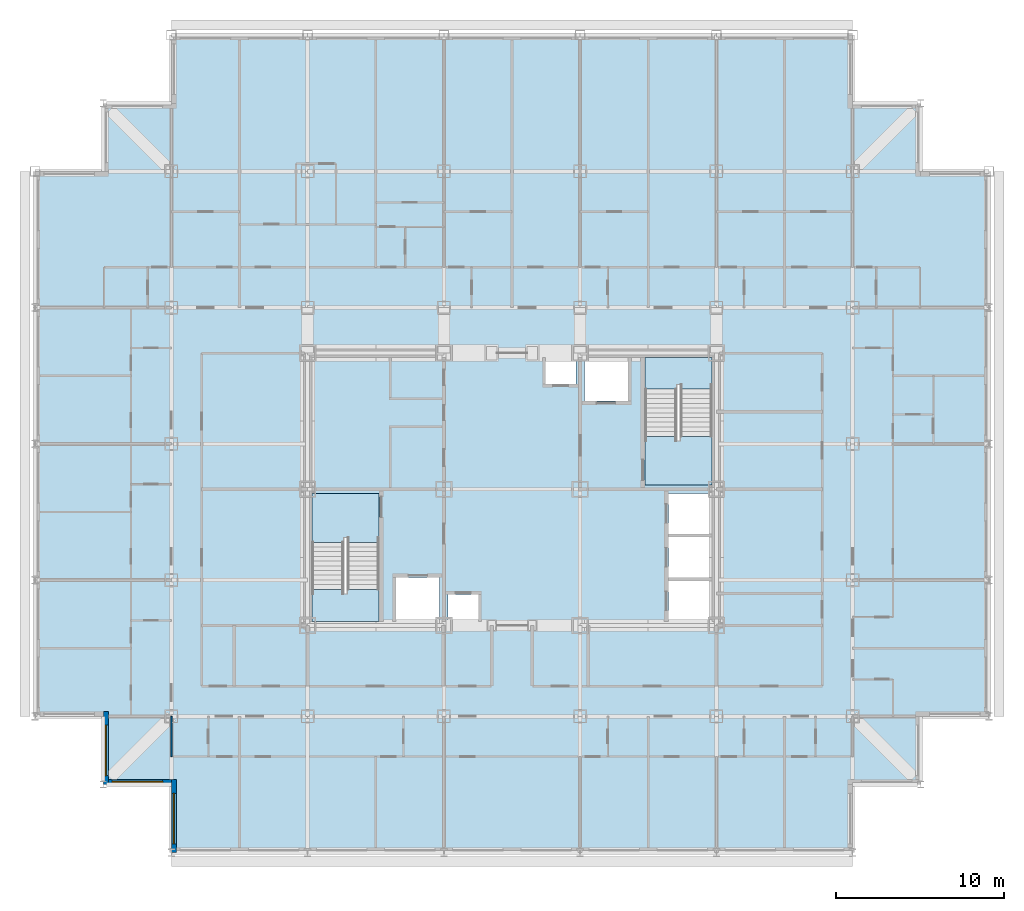
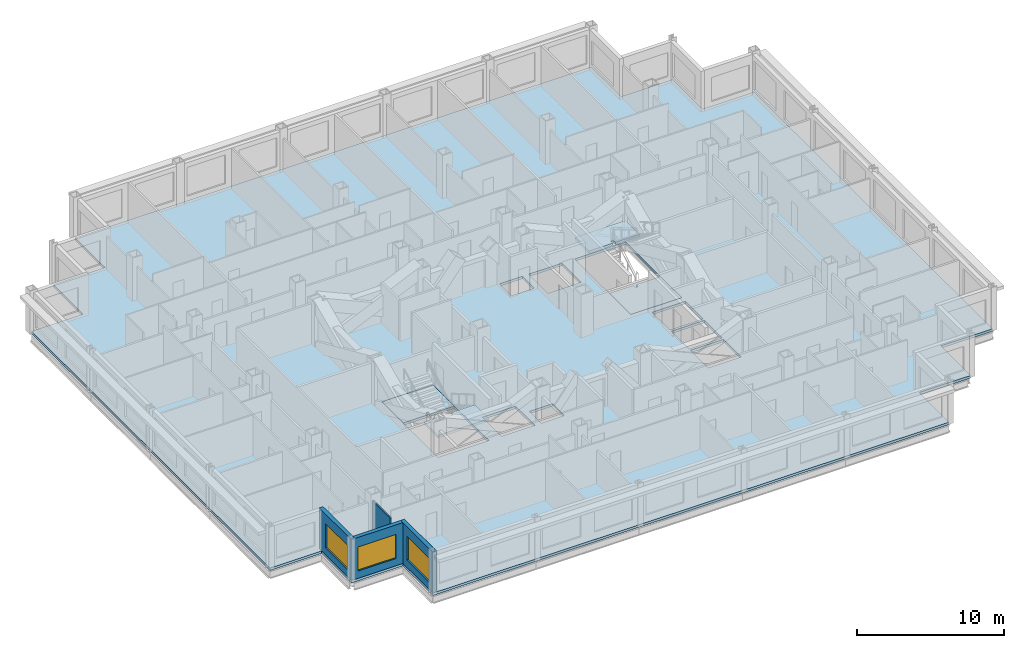
# One storey, part 3 of 12: 5 slabs, 4 walls, 3 windows, 3 openings, 2 elements without a shape of their own.
"""IFC4 building model written with IfcOpenShell, lengths in metres."""

from ifc_helpers import new_model, si_unit, direction, frame, frame_2d, origin, place, context, subcontext, project, spatial, polyline, rectangle, outline, extrude, material, layer, layer_set, type_object, element, fill, aggregate, save


model = new_model("IFC4")

# Units and contexts
model_context = context("Model", 3, precision=1e-05, world=origin(), true_north=direction((0.0, 1.0)))
body_context = subcontext(model_context, "Body", "Model", "MODEL_VIEW")
ifc_project = project(units=[si_unit("LENGTHUNIT", "METRE"), si_unit("AREAUNIT", "SQUARE_METRE"), si_unit("VOLUMEUNIT", "CUBIC_METRE"), si_unit("PLANEANGLEUNIT", "RADIAN"), si_unit("MASSUNIT", "GRAM", prefix="KILO")], contexts=[model_context])

# Site, building, storey
site_placement = place(None, origin())
site = spatial("IfcSite", under=ifc_project, at=site_placement, CompositionType="ELEMENT")
building_placement = place(site_placement, origin())
building = spatial("IfcBuilding", under=site, at=building_placement, Name="Kopane Lantern Tower", CompositionType="ELEMENT")
storey_placement = place(building_placement, frame((0.0, 0.0, 192.0)))
storey = spatial("IfcBuildingStorey", under=building, at=storey_placement, Name="L49", CompositionType="ELEMENT", Elevation=192.0)

# Slab
ifc_material_1 = material(Name="Concrete C40/50", Category="concrete")
ifc_layer_1 = layer(ifc_material_1, 0.2099609375)
ifc_layer_set_1 = layer_set([ifc_layer_1], Name="SLAB 210 COMPOSITE")
slab_type_1 = type_object("IfcSlabType", Name="SLAB 210 COMPOSITE", PredefinedType="FLOOR", material=ifc_layer_set_1)
slab_1_placement = place(storey_placement, frame((0.0, 0.0, -0.2099609375)))
element("IfcSlab", 1, at=slab_1_placement, inside=storey, type_object=slab_type_1, Name="Floor slab L49", PredefinedType="FLOOR", context=body_context, shape_type="SweptSolid", body=[
    extrude(outline(polyline([(8.10009765625, 10.800048828125), (48.60009765625, 10.800048828125), (48.60009765625, 14.85009765625), (52.64990234375, 14.85009765625), (52.64990234375, 18.89990234375), (56.699951171875, 18.89990234375), (56.699951171875, 51.300048828125), (52.64990234375, 51.300048828125), (52.64990234375, 55.35009765625), (48.60009765625, 55.35009765625), (48.60009765625, 59.39990234375), (8.10009765625, 59.39990234375), (8.10009765625, 55.35009765625), (4.050048828125, 55.35009765625), (4.050048828125, 51.300048828125), (0.0, 51.300048828125), (0.0, 18.89990234375), (4.050048828125, 18.89990234375), (4.050048828125, 14.85009765625), (8.10009765625, 14.85009765625), (8.10009765625, 10.800048828125)]), holes=[polyline([(16.449951171875, 24.550048828125), (20.449951171875, 24.550048828125), (20.449951171875, 32.14990234375), (16.449951171875, 32.14990234375), (16.449951171875, 24.550048828125)]), polyline([(36.25, 32.64990234375), (40.25, 32.64990234375), (40.25, 40.25), (36.25, 40.25), (36.25, 32.64990234375)]), polyline([(37.64990234375, 24.550048828125), (40.25, 24.550048828125), (40.25, 26.949951171875), (37.64990234375, 26.949951171875), (37.64990234375, 24.550048828125)]), polyline([(37.64990234375, 27.14990234375), (40.25, 27.14990234375), (40.25, 29.550048828125), (37.64990234375, 29.550048828125), (37.64990234375, 27.14990234375)]), polyline([(37.64990234375, 29.75), (40.25, 29.75), (40.25, 32.14990234375), (37.64990234375, 32.14990234375), (37.64990234375, 29.75)]), polyline([(21.449951171875, 24.550048828125), (24.050048828125, 24.550048828125), (24.050048828125, 27.14990234375), (21.449951171875, 27.14990234375), (21.449951171875, 24.550048828125)]), polyline([(32.64990234375, 37.64990234375), (35.25, 37.64990234375), (35.25, 40.25), (32.64990234375, 40.25), (32.64990234375, 37.64990234375)]), polyline([(24.550048828125, 24.550048828125), (26.35009765625, 24.550048828125), (26.35009765625, 26.14990234375), (24.550048828125, 26.14990234375), (24.550048828125, 24.550048828125)]), polyline([(30.35009765625, 38.64990234375), (32.14990234375, 38.64990234375), (32.14990234375, 40.25), (30.35009765625, 40.25), (30.35009765625, 38.64990234375)])]), origin(), (0.0, 0.0, 1.0), 0.2099609375),
])

# Stair, slabs
ifc_material_2 = material(Name="Steel S355JR", Category="steel")
stair_type = type_object("IfcStairType", Name="EXIT STAIR 1900 HALF TURN", PredefinedType="HALF_TURN_STAIR", material=ifc_material_2)
stair_1_placement = place(storey_placement, origin())
stair_1 = element("IfcStair", 2, at=stair_1_placement, inside=storey, type_object=stair_type, Name="Exit stair ST1 L49", PredefinedType="HALF_TURN_STAIR")
ifc_material_3 = material(Name="Concrete C40/50", Category="concrete")
ifc_layer_2 = layer(ifc_material_3, 0.199951171875)
ifc_layer_set_2 = layer_set([ifc_layer_2], Name="STAIR LANDING 200")
slab_type_2 = type_object("IfcSlabType", Name="STAIR LANDING 200", PredefinedType="LANDING", material=ifc_layer_set_2)
slab_2_placement = place(storey_placement, frame((0.0, 0.0, -0.199951171875)))
slab_2 = element("IfcSlab", 3, at=slab_2_placement, type_object=slab_type_2, Name="ST1 landing 1", PredefinedType="LANDING", context=body_context, shape_type="SweptSolid", body=[
    extrude(outline(polyline([(18.35009765625, 29.530029296875), (18.550048828125, 29.530029296875), (18.550048828125, 29.25), (20.449951171875, 29.25), (20.449951171875, 32.14990234375), (16.449951171875, 32.14990234375), (16.449951171875, 29.25), (18.35009765625, 29.25), (18.35009765625, 29.530029296875)])), origin(), (0.0, 0.0, 1.0), 0.199951171875),
])
slab_3_placement = place(storey_placement, frame((0.0, 0.0, 1.60009765625)))
slab_3 = element("IfcSlab", 4, at=slab_3_placement, type_object=slab_type_2, Name="ST1 landing 2", PredefinedType="LANDING", context=body_context, shape_type="SweptSolid", body=[
    extrude(outline(polyline([(20.449951171875, 26.449951171875), (18.550048828125, 26.449951171875), (18.550048828125, 26.169921875), (18.35009765625, 26.169921875), (18.35009765625, 26.449951171875), (16.449951171875, 26.449951171875), (16.449951171875, 24.550048828125), (20.449951171875, 24.550048828125), (20.449951171875, 26.449951171875)])), origin(), (0.0, 0.0, 1.0), 0.199951171875),
])
aggregate(stair_1, [slab_2, slab_3])

stair_2_placement = place(storey_placement, origin())
stair_2 = element("IfcStair", 5, at=stair_2_placement, inside=storey, type_object=stair_type, Name="Exit stair ST2 L49", PredefinedType="HALF_TURN_STAIR")
slab_4_placement = place(storey_placement, frame((0.0, 0.0, -0.199951171875)))
slab_4 = element("IfcSlab", 6, at=slab_4_placement, type_object=slab_type_2, Name="ST2 landing 1", PredefinedType="LANDING", context=body_context, shape_type="SweptSolid", body=[
    extrude(outline(polyline([(40.25, 35.550048828125), (38.35009765625, 35.550048828125), (38.35009765625, 35.27001953125), (38.14990234375, 35.27001953125), (38.14990234375, 35.550048828125), (36.25, 35.550048828125), (36.25, 32.64990234375), (40.25, 32.64990234375), (40.25, 35.550048828125)])), origin(), (0.0, 0.0, 1.0), 0.199951171875),
])
slab_5_placement = place(storey_placement, frame((0.0, 0.0, 1.60009765625)))
slab_5 = element("IfcSlab", 7, at=slab_5_placement, type_object=slab_type_2, Name="ST2 landing 2", PredefinedType="LANDING", context=body_context, shape_type="SweptSolid", body=[
    extrude(outline(polyline([(38.14990234375, 38.6298828125), (38.35009765625, 38.6298828125), (38.35009765625, 38.35009765625), (40.25, 38.35009765625), (40.25, 40.25), (36.25, 40.25), (36.25, 38.35009765625), (38.14990234375, 38.35009765625), (38.14990234375, 38.6298828125)])), origin(), (0.0, 0.0, 1.0), 0.199951171875),
])
aggregate(stair_2, [slab_4, slab_5])

# Wall
ifc_material_4 = material(Name="Moisture-resistant board on steel studs", Category="steel")
ifc_layer_3 = layer(ifc_material_4, 0.10009765625)
ifc_layer_set_3 = layer_set([ifc_layer_3], Name="BATHROOM WALL 100")
wall_type_1 = type_object("IfcWallType", Name="BATHROOM WALL 100", PredefinedType="PARTITIONING", material=ifc_layer_set_3)
wall_1_placement = place(storey_placement, frame((8.10009765625, 18.89990234375, 0.0), z_axis=(0.0, 0.0, 1.0), x_axis=(0.0, -1.0, 0.0)))
element("IfcWall", 8, at=wall_1_placement, inside=storey, type_object=wall_type_1, Name="Bathroom Wall 100 L49", PredefinedType="PARTITIONING", context=body_context, shape_type="SweptSolid", body=[
    extrude(rectangle(XDim=2.39990234375, YDim=0.10009765625, at=frame_2d((1.199951171875, 0.0))), origin(), (0.0, 0.0, 1.0), 2.77783203125),
])

# Wall, opening, window
ifc_material_5 = material(Name="Terracotta rainscreen on light steel framing", Category="masonry")
ifc_layer_4 = layer(ifc_material_5, 0.300048828125)
ifc_layer_set_4 = layer_set([ifc_layer_4], Name="EXTERNAL WALL EW1 300 TERRACOTTA")
wall_type_2 = type_object("IfcWallType", Name="EXTERNAL WALL EW1 300 TERRACOTTA", PredefinedType="SOLIDWALL", material=ifc_layer_set_4)
wall_2_placement = place(storey_placement, frame((4.199951171875, 19.199951171875, 0.0), z_axis=(0.0, 0.0, 1.0), x_axis=(0.0, -1.0, 0.0)))
wall_2 = element("IfcWall", 9, at=wall_2_placement, inside=storey, type_object=wall_type_2, Name="External wall W L49", PredefinedType="SOLIDWALL", context=body_context, shape_type="SweptSolid", body=[
    extrude(rectangle(XDim=4.349853515625, YDim=0.300048828125, at=frame_2d((2.1748046875, 0.0))), origin(), (0.0, 0.0, 1.0), 3.389892578125),
])
opening_1_placement = place(wall_2_placement, frame((0.824951171875, 0.0, 0.60009765625)))
opening_1 = element("IfcOpeningElement", 10, at=opening_1_placement, cuts=wall_2, Name="Opening WR300200", PredefinedType="OPENING", context=body_context, shape_type="SweptSolid", body=[
    extrude(rectangle(XDim=3.0, YDim=2.0, at=frame_2d((1.5, 1.0))), frame((0.0, 0.159912109375, 0.0), z_axis=(0.0, -1.0, 0.0), x_axis=(1.0, 0.0, 0.0)), (0.0, 0.0, 1.0), 0.320068359375),
])
ifc_material_6 = material(Name="Aluminium and clear glass", Category="aluminium")
window_type = type_object("IfcWindowType", Name="RIBBON WINDOW WR300200 3000x2000", PartitioningType="SINGLE_PANEL", PredefinedType="WINDOW", material=ifc_material_6)
window_1_placement = place(opening_1_placement, origin())
window_1 = element("IfcWindow", 11, at=window_1_placement, inside=storey, type_object=window_type, Name="Window W L49", OverallHeight=2.0, OverallWidth=3.0, PartitioningType="SINGLE_PANEL", PredefinedType="WINDOW", context=body_context, shape_type="SweptSolid", body=[
    extrude(rectangle(XDim=3.0, YDim=2.0, at=frame_2d((1.5, 1.0))), frame((0.0, 0.030029296875, 0.0), z_axis=(0.0, -1.0, 0.0), x_axis=(1.0, 0.0, 0.0)), (0.0, 0.0, 1.0), 0.06005859375),
])
fill(opening_1, window_1)

wall_3_placement = place(storey_placement, frame((4.35009765625, 15.0, 0.0), z_axis=(0.0, 0.0, 1.0), x_axis=(1.0, 0.0, 0.0)))
wall_3 = element("IfcWall", 12, at=wall_3_placement, inside=storey, type_object=wall_type_2, Name="External wall S L49", PredefinedType="SOLIDWALL", context=body_context, shape_type="SweptSolid", body=[
    extrude(rectangle(XDim=3.75, YDim=0.300048828125, at=frame_2d((1.875, 0.0))), origin(), (0.0, 0.0, 1.0), 3.389892578125),
])
opening_2_placement = place(wall_3_placement, frame((0.22509765625, 0.0, 0.60009765625)))
opening_2 = element("IfcOpeningElement", 13, at=opening_2_placement, cuts=wall_3, Name="Opening WR300200", PredefinedType="OPENING", context=body_context, shape_type="SweptSolid", body=[
    extrude(rectangle(XDim=3.0, YDim=2.0, at=frame_2d((1.5, 1.0))), frame((0.0, 0.159912109375, 0.0), z_axis=(0.0, -1.0, 0.0), x_axis=(1.0, 0.0, 0.0)), (0.0, 0.0, 1.0), 0.320068359375),
])
window_2_placement = place(opening_2_placement, origin())
window_2 = element("IfcWindow", 14, at=window_2_placement, inside=storey, type_object=window_type, Name="Window S L49", OverallHeight=2.0, OverallWidth=3.0, PartitioningType="SINGLE_PANEL", PredefinedType="WINDOW", context=body_context, shape_type="SweptSolid", body=[
    extrude(rectangle(XDim=3.0, YDim=2.0, at=frame_2d((1.5, 1.0))), frame((0.0, 0.030029296875, 0.0), z_axis=(0.0, -1.0, 0.0), x_axis=(1.0, 0.0, 0.0)), (0.0, 0.0, 1.0), 0.06005859375),
])
fill(opening_2, window_2)

wall_4_placement = place(storey_placement, frame((8.25, 15.14990234375, 0.0), z_axis=(0.0, 0.0, 1.0), x_axis=(0.0, -1.0, 0.0)))
wall_4 = element("IfcWall", 15, at=wall_4_placement, inside=storey, type_object=wall_type_2, Name="External wall W L49", PredefinedType="SOLIDWALL", context=body_context, shape_type="SweptSolid", body=[
    extrude(rectangle(XDim=4.349853515625, YDim=0.300048828125, at=frame_2d((2.1748046875, 0.0))), origin(), (0.0, 0.0, 1.0), 3.389892578125),
])
opening_3_placement = place(wall_4_placement, frame((0.824951171875, 0.0, 0.60009765625)))
opening_3 = element("IfcOpeningElement", 16, at=opening_3_placement, cuts=wall_4, Name="Opening WR300200", PredefinedType="OPENING", context=body_context, shape_type="SweptSolid", body=[
    extrude(rectangle(XDim=3.0, YDim=2.0, at=frame_2d((1.5, 1.0))), frame((0.0, 0.159912109375, 0.0), z_axis=(0.0, -1.0, 0.0), x_axis=(1.0, 0.0, 0.0)), (0.0, 0.0, 1.0), 0.320068359375),
])
window_3_placement = place(opening_3_placement, origin())
window_3 = element("IfcWindow", 17, at=window_3_placement, inside=storey, type_object=window_type, Name="Window W L49", OverallHeight=2.0, OverallWidth=3.0, PartitioningType="SINGLE_PANEL", PredefinedType="WINDOW", context=body_context, shape_type="SweptSolid", body=[
    extrude(rectangle(XDim=3.0, YDim=2.0, at=frame_2d((1.5, 1.0))), frame((0.0, 0.030029296875, 0.0), z_axis=(0.0, -1.0, 0.0), x_axis=(1.0, 0.0, 0.0)), (0.0, 0.0, 1.0), 0.06005859375),
])
fill(opening_3, window_3)

save(model, "model.ifc")
